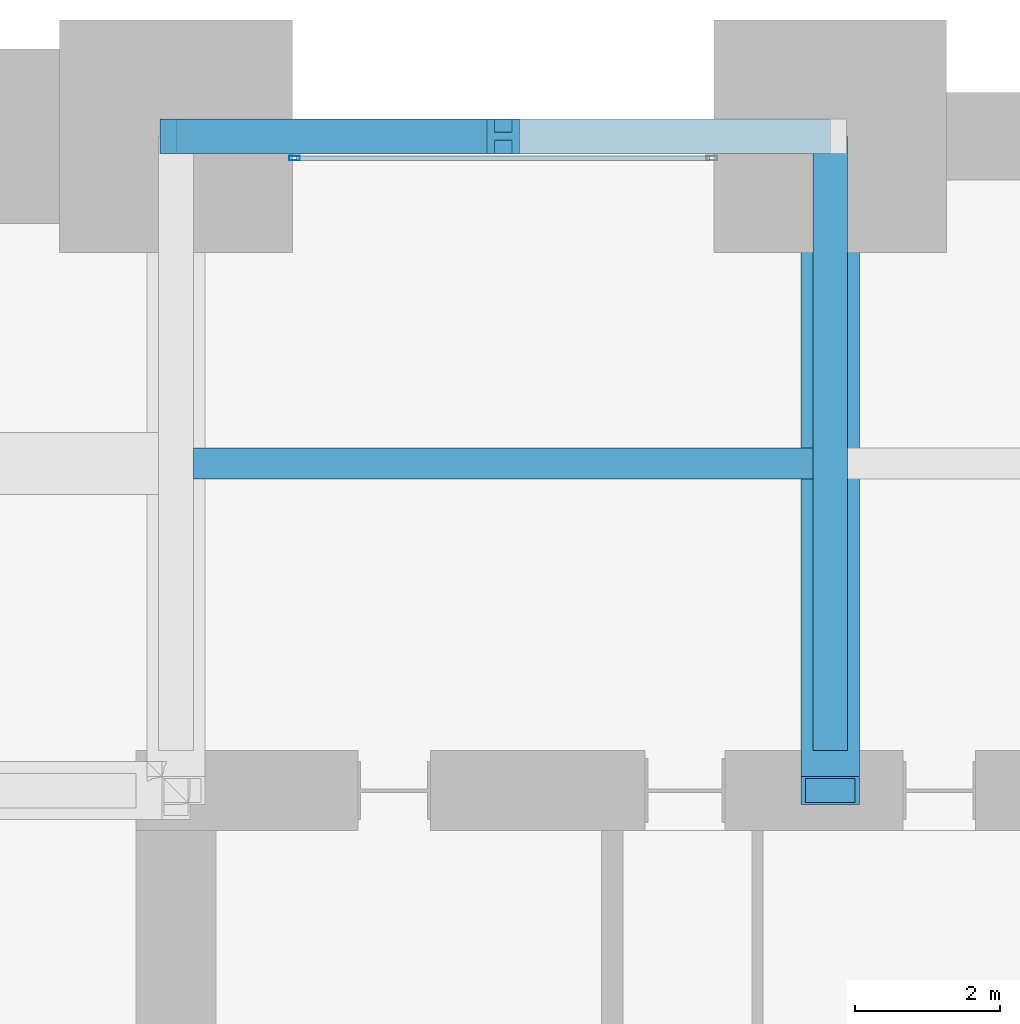
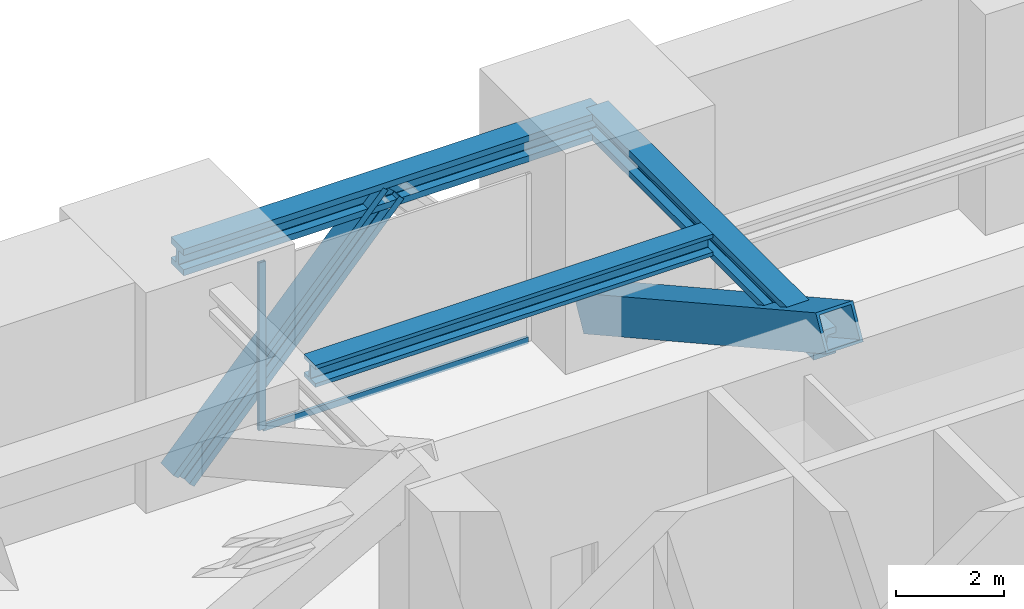
# One storey, part 22 of 32: 4 members, 3 beams, 1 element without a shape of its own.
"""IFC4 building model written with IfcOpenShell, lengths in metres."""

from ifc_helpers import new_model, si_unit, direction, frame, origin, origin_2d, place, context, subcontext, project, spatial, hollow_rectangle, i_section, extrude, material, material_profile, profile_set, type_object, element, aggregate, save


model = new_model("IFC4")

# Units and contexts
model_context = context("Model", 3, precision=1e-05, world=origin(), true_north=direction((0.0, 1.0)))
body_context = subcontext(model_context, "Body", "Model", "MODEL_VIEW")
ifc_project = project(units=[si_unit("LENGTHUNIT", "METRE"), si_unit("AREAUNIT", "SQUARE_METRE"), si_unit("VOLUMEUNIT", "CUBIC_METRE"), si_unit("PLANEANGLEUNIT", "RADIAN"), si_unit("MASSUNIT", "GRAM", prefix="KILO")], contexts=[model_context])

# Site, building, storey
site_placement = place(None, origin())
site = spatial("IfcSite", under=ifc_project, at=site_placement, CompositionType="ELEMENT")
building_placement = place(site_placement, origin())
building = spatial("IfcBuilding", under=site, at=building_placement, Name="Zorevar Civic Tower", CompositionType="ELEMENT")
storey_placement = place(building_placement, frame((0.0, 0.0, 234.39990234375)))
storey = spatial("IfcBuildingStorey", under=building, at=storey_placement, Name="L57", CompositionType="ELEMENT", Elevation=234.39990234375)

# Beam
ifc_material_1 = material(Name="Steel S460M (HISTAR 460)", Category="steel")
ifc_material_profile_1 = material_profile(ifc_material_1, i_section(OverallWidth=0.47607421875, OverallDepth=0.60009765625, WebThickness=0.10009765625, FlangeThickness=0.139892578125, FilletRadius=0.014892578125, at=origin_2d()), Name="HD 400x1299")
ifc_profile_set_1 = profile_set([ifc_material_profile_1], Name="Steel S460M (HISTAR 460)")
beam_type_1 = type_object("IfcBeamType", Name="Belt chord HD 400x1299", PredefinedType="BEAM", material=ifc_profile_set_1)
beam_1_placement = place(storey_placement, frame((18.0, 45.0, 4.300048828125), z_axis=(1.0, 0.0, 0.0), x_axis=(0.0, 1.0, 0.0)))
element("IfcBeam", 1, at=beam_1_placement, inside=storey, type_object=beam_type_1, Name="Belt chord L58", PredefinedType="BEAM", context=body_context, shape_type="SweptSolid", body=[
    extrude(i_section(OverallWidth=0.47607421875, OverallDepth=0.60009765625, WebThickness=0.10009765625, FlangeThickness=0.139892578125, FilletRadius=0.014892578125, at=origin_2d()), origin(), (0.0, 0.0, 1.0), 9.0),
])

# Member
ifc_material_2 = material(Name="Steel S460M (HISTAR 460)", Category="steel")
ifc_material_profile_2 = material_profile(ifc_material_2, i_section(OverallWidth=0.47607421875, OverallDepth=0.60009765625, WebThickness=0.10009765625, FlangeThickness=0.139892578125, FilletRadius=0.014892578125, at=origin_2d()), Name="HD 400x1299")
ifc_profile_set_2 = profile_set([ifc_material_profile_2], Name="Steel S460M (HISTAR 460)")
member_type_1 = type_object("IfcMemberType", Name="Belt strut HD 400x1299", PredefinedType="BRACE", material=ifc_profile_set_2)
member_1_placement = place(storey_placement, frame((18.0, 45.0, -0.64990234375), z_axis=(0.672676426978, 0.0, 0.739936770669), x_axis=(0.0, 1.0, 0.0)))
element("IfcMember", 2, at=member_1_placement, inside=storey, type_object=member_type_1, Name="Belt strut N L57", PredefinedType="BRACE", context=body_context, shape_type="SweptSolid", body=[
    extrude(i_section(OverallWidth=0.47607421875, OverallDepth=0.60009765625, WebThickness=0.10009765625, FlangeThickness=0.139892578125, FilletRadius=0.014892578125, at=origin_2d()), origin(), (0.0, 0.0, 1.0), 6.689697265625),
])

# Curtain wall, members
ifc_material_3 = material(Name="Black aluminium louvres", Category="aluminium")
curtain_wall_type = type_object("IfcCurtainWallType", Name="Louvred curtain wall CW6 refuge", PredefinedType="NOTDEFINED", material=ifc_material_3)
curtain_wall_placement = place(storey_placement, origin())
curtain_wall = element("IfcCurtainWall", 3, at=curtain_wall_placement, inside=storey, type_object=curtain_wall_type, Name="CW6 L57", PredefinedType="NOTDEFINED")
ifc_material_4 = material(Name="Aluminium, black anodised", Category="aluminium")
ifc_material_profile_3 = material_profile(ifc_material_4, hollow_rectangle(XDim=0.06005859375, YDim=0.14990234375, WallThickness=0.00390625, at=origin_2d()), Name="AL 150x60x4")
ifc_profile_set_3 = profile_set([ifc_material_profile_3], Name="Aluminium, black anodised")
member_type_2 = type_object("IfcMemberType", Name="CW6 mullion AL 150x60x4", PredefinedType="MULLION", material=ifc_profile_set_3)
member_2_placement = place(storey_placement, frame((19.6298828125, 44.699951171875, 0.0), z_axis=(0.0, 0.0, 1.0), x_axis=(0.0, 1.0, 0.0)))
member_2 = element("IfcMember", 4, at=member_2_placement, type_object=member_type_2, Name="CW6 mullion 1", PredefinedType="MULLION", context=body_context, shape_type="SweptSolid", body=[
    extrude(hollow_rectangle(XDim=0.06005859375, YDim=0.14990234375, WallThickness=0.00390625, at=origin_2d()), origin(), (0.0, 0.0, 1.0), 3.800048828125),
])
ifc_material_5 = material(Name="Aluminium, black anodised", Category="aluminium")
ifc_material_profile_4 = material_profile(ifc_material_5, hollow_rectangle(XDim=0.06005859375, YDim=0.14990234375, WallThickness=0.00390625, at=origin_2d()), Name="AL 150x60x4")
ifc_profile_set_4 = profile_set([ifc_material_profile_4], Name="Aluminium, black anodised")
member_type_3 = type_object("IfcMemberType", Name="CW6 transom AL 150x60x4", PredefinedType="USERDEFINED", material=ifc_profile_set_4)
member_3_placement = place(storey_placement, frame((19.659912109375, 44.699951171875, 0.030029296875), z_axis=(1.0, 0.0, 0.0), x_axis=(0.0, 1.0, 0.0)))
member_3 = element("IfcMember", 5, at=member_3_placement, type_object=member_type_3, Name="CW6 sill transom", ObjectType="TRANSOM", PredefinedType="USERDEFINED", context=body_context, shape_type="SweptSolid", body=[
    extrude(hollow_rectangle(XDim=0.06005859375, YDim=0.14990234375, WallThickness=0.00390625, at=origin_2d()), origin(), (0.0, 0.0, 1.0), 5.68017578125),
])
aggregate(curtain_wall, [member_2, member_3])

# Beams
ifc_material_6 = material(Name="Steel S460M (HISTAR 460)", Category="steel")
ifc_material_profile_5 = material_profile(ifc_material_6, i_section(OverallWidth=0.431884765625, OverallDepth=0.498046875, WebThickness=0.0556640625, FlangeThickness=0.0888671875, FilletRadius=0.014892578125, at=origin_2d()), Name="HD 400x744")
ifc_profile_set_5 = profile_set([ifc_material_profile_5], Name="Steel S460M (HISTAR 460)")
beam_type_2 = type_object("IfcBeamType", Name="Core bay beam HD 400x744", PredefinedType="BEAM", material=ifc_profile_set_5)
beam_2_placement = place(storey_placement, frame((18.238037109375, 40.5, 4.35107421875), z_axis=(1.0, 0.0, 0.0), x_axis=(0.0, 1.0, 0.0)))
element("IfcBeam", 6, at=beam_2_placement, inside=storey, type_object=beam_type_2, Name="Secondary beam L58", PredefinedType="BEAM", context=body_context, shape_type="SweptSolid", body=[
    extrude(i_section(OverallWidth=0.431884765625, OverallDepth=0.498046875, WebThickness=0.0556640625, FlangeThickness=0.0888671875, FilletRadius=0.014892578125, at=origin_2d()), origin(), (0.0, 0.0, 1.0), 8.52392578125),
])
ifc_material_7 = material(Name="Steel S460M (HISTAR 460)", Category="steel")
ifc_material_profile_6 = material_profile(ifc_material_7, i_section(OverallWidth=0.47607421875, OverallDepth=0.60009765625, WebThickness=0.10009765625, FlangeThickness=0.139892578125, FilletRadius=0.014892578125, at=origin_2d()), Name="HD 400x1299")
ifc_profile_set_6 = profile_set([ifc_material_profile_6], Name="Steel S460M (HISTAR 460)")
beam_type_3 = type_object("IfcBeamType", Name="Outrigger chord HD 400x1299", PredefinedType="BEAM", material=ifc_profile_set_6)
beam_3_placement = place(storey_placement, frame((27.0, 36.550048828125, 4.300048828125), z_axis=(0.0, 1.0, 0.0), x_axis=(-1.0, 0.0, 0.0)))
element("IfcBeam", 7, at=beam_3_placement, inside=storey, type_object=beam_type_3, Name="Outrigger chord L58", PredefinedType="BEAM", context=body_context, shape_type="SweptSolid", body=[
    extrude(i_section(OverallWidth=0.47607421875, OverallDepth=0.60009765625, WebThickness=0.10009765625, FlangeThickness=0.139892578125, FilletRadius=0.014892578125, at=origin_2d()), origin(), (0.0, 0.0, 1.0), 8.449951171875),
])

# Member
ifc_material_8 = material(Name="Steel S460M (HISTAR 460)", Category="steel")
ifc_material_profile_7 = material_profile(ifc_material_8, hollow_rectangle(XDim=0.800048828125, YDim=0.800048828125, WallThickness=0.06005859375, at=origin_2d()), Name="BOX 800x800x60")
ifc_profile_set_7 = profile_set([ifc_material_profile_7], Name="Steel S460M (HISTAR 460)")
member_type_4 = type_object("IfcMemberType", Name="Outrigger diagonal BOX 800x800x60", PredefinedType="BRACE", material=ifc_profile_set_7)
member_4_placement = place(storey_placement, frame((27.0, 36.0, 5.0), z_axis=(0.0, 0.874157276122, -0.485642931179), x_axis=(-1.0, 0.0, 0.0)))
element("IfcMember", 8, at=member_4_placement, inside=storey, type_object=member_type_4, Name="Outrigger diagonal N L57", PredefinedType="BRACE", context=body_context, shape_type="SweptSolid", body=[
    extrude(hollow_rectangle(XDim=0.800048828125, YDim=0.800048828125, WallThickness=0.06005859375, at=origin_2d()), origin(), (0.0, 0.0, 1.0), 10.295654296875),
])

save(model, "model.ifc")
